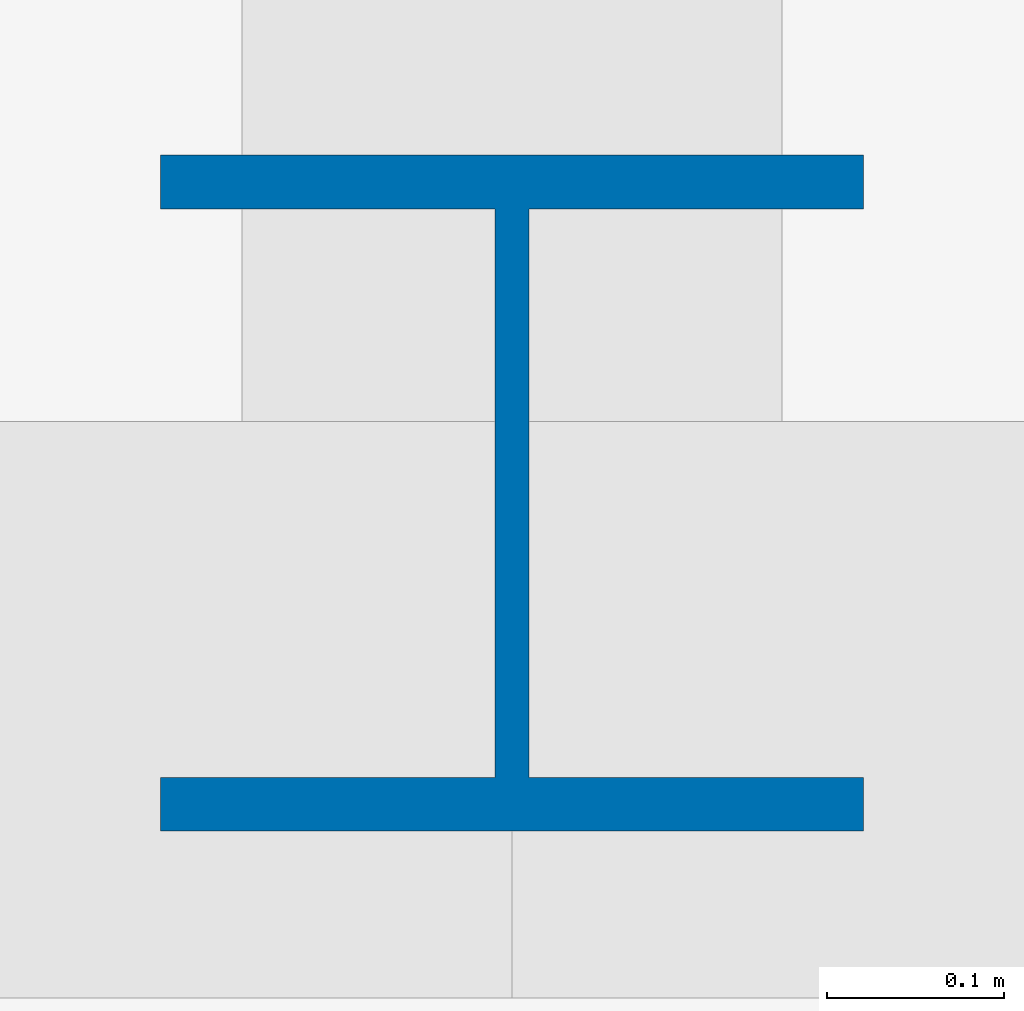
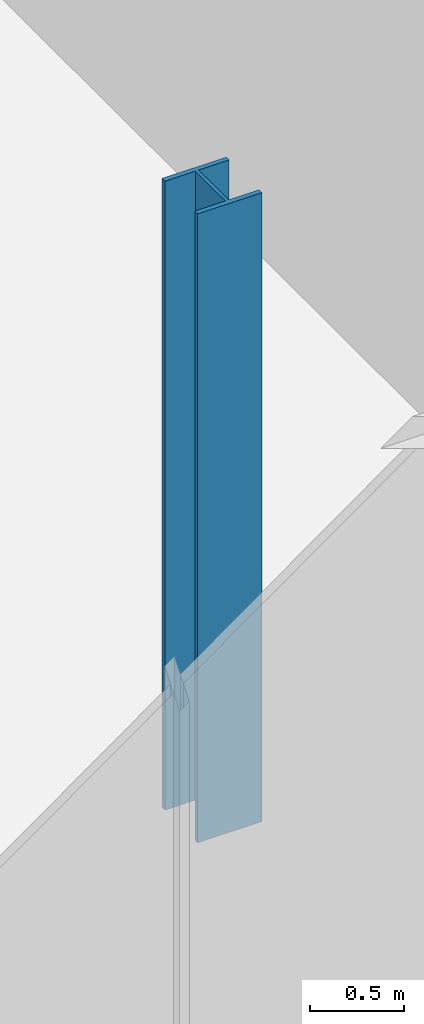
# One storey, part 2 of 23: 1 column.
"""IFC4 building model written with IfcOpenShell, lengths in metres."""

from ifc_helpers import new_model, si_unit, direction, frame, origin, origin_2d, place, context, subcontext, project, spatial, i_section, extrude, material, material_profile, profile_set, type_object, element, save


model = new_model("IFC4")

# Units and contexts
model_context = context("Model", 3, precision=1e-05, world=origin(), true_north=direction((0.0, 1.0)))
body_context = subcontext(model_context, "Body", "Model", "MODEL_VIEW")
ifc_project = project(units=[si_unit("LENGTHUNIT", "METRE"), si_unit("AREAUNIT", "SQUARE_METRE"), si_unit("VOLUMEUNIT", "CUBIC_METRE"), si_unit("PLANEANGLEUNIT", "RADIAN"), si_unit("MASSUNIT", "GRAM", prefix="KILO")], contexts=[model_context])

# Site, building, storey
site_placement = place(None, origin())
site = spatial("IfcSite", under=ifc_project, at=site_placement, CompositionType="ELEMENT")
building_placement = place(site_placement, origin())
building = spatial("IfcBuilding", under=site, at=building_placement, Name="Bicima Exchange Tower", CompositionType="ELEMENT")
storey_placement = place(building_placement, frame((0.0, 0.0, 152.699951171875)))
storey = spatial("IfcBuildingStorey", under=building, at=storey_placement, Name="L33", CompositionType="ELEMENT", Elevation=152.699951171875)

# Column
ifc_material = material(Name="Steel ASTM A992 Gr 50", Category="steel")
ifc_material_profile = material_profile(ifc_material, i_section(OverallWidth=0.396240234375, OverallDepth=0.381103515625, WebThickness=0.01904296875, FlangeThickness=0.0302734375, at=origin_2d()))
ifc_profile_set = profile_set([ifc_material_profile], Name="Steel ASTM A992 Gr 50")
column_type = type_object("IfcColumnType", Name="Perimeter column W14x159", PredefinedType="COLUMN", material=ifc_profile_set)
column_placement = place(storey_placement, frame((26.10009765625, -32.889892578125, 0.0), z_axis=(0.0, 0.0, 1.0), x_axis=(1.0, 0.0, 0.0)))
element("IfcColumn", 1, at=column_placement, inside=storey, type_object=column_type, Name="Perimeter column grav+26.1f", PredefinedType="COLUMN", context=body_context, shape_type="SweptSolid", body=[
    extrude(i_section(OverallWidth=0.396240234375, OverallDepth=0.381103515625, WebThickness=0.01904296875, FlangeThickness=0.0302734375, at=origin_2d()), origin(), (0.0, 0.0, 1.0), 4.10009765625),
])

save(model, "model.ifc")
